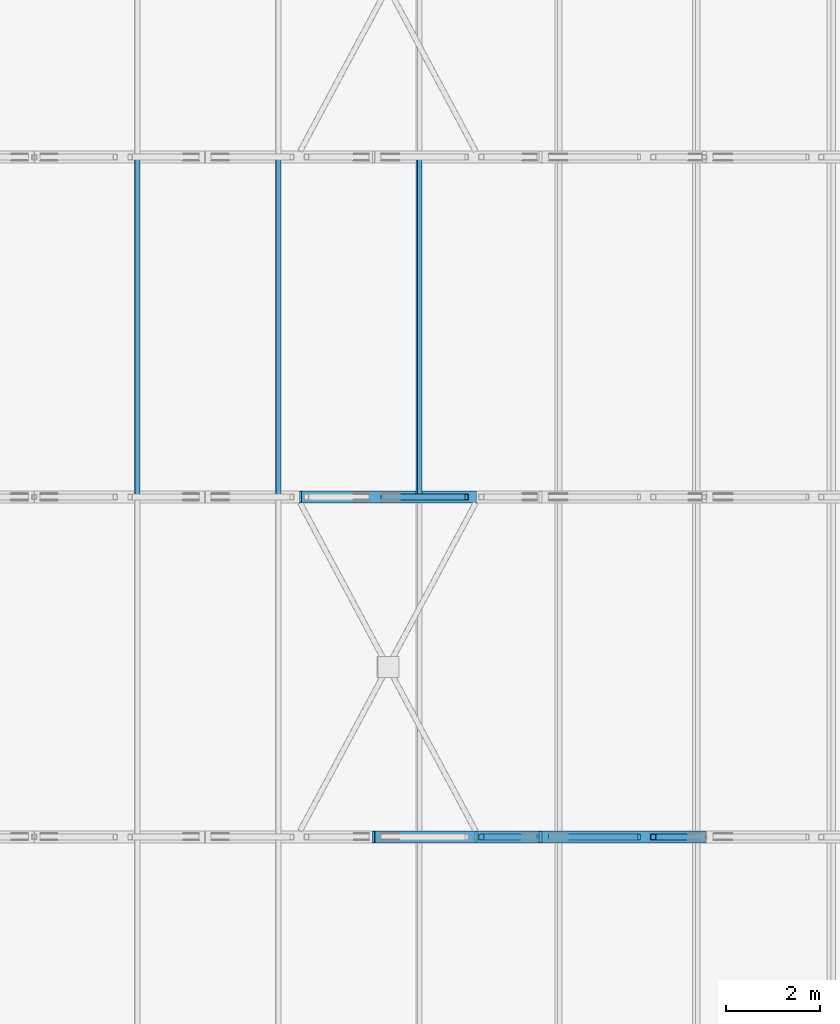
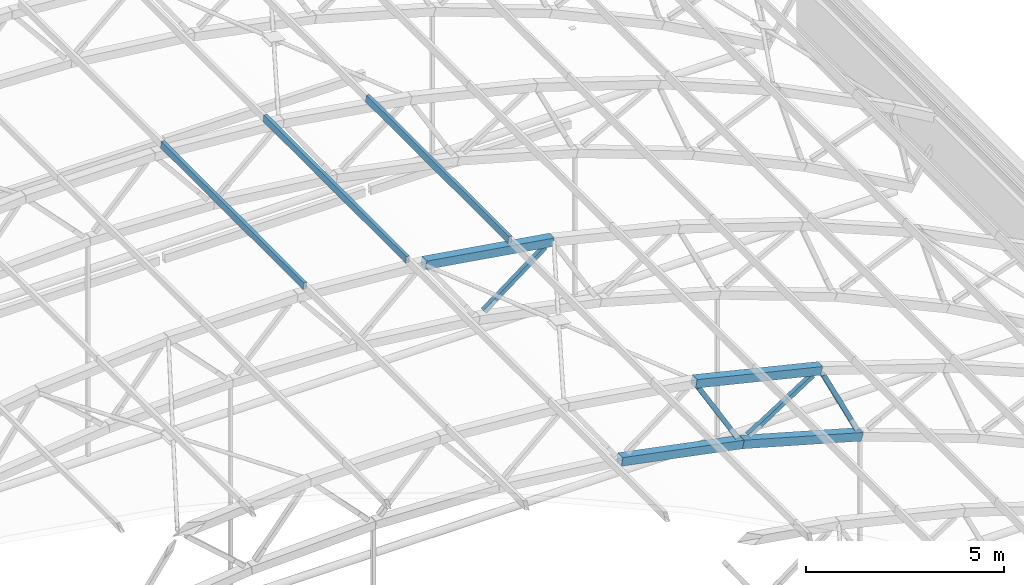
# One storey, part 58 of 127: 11 members.
"""IFC4 building model written with IfcOpenShell, lengths in metres."""

from ifc_helpers import new_model, si_unit, direction, frame, origin, origin_2d, place, context, subcontext, project, spatial, hollow_rectangle, extrude, material, material_profile, profile_set, type_object, element, save


model = new_model("IFC4")

# Units and contexts
model_context = context("Model", 3, precision=1e-05, world=origin(), true_north=direction((0.0, 1.0)))
body_context = subcontext(model_context, "Body", "Model", "MODEL_VIEW")
ifc_project = project(units=[si_unit("LENGTHUNIT", "METRE"), si_unit("AREAUNIT", "SQUARE_METRE"), si_unit("VOLUMEUNIT", "CUBIC_METRE"), si_unit("PLANEANGLEUNIT", "RADIAN"), si_unit("MASSUNIT", "GRAM", prefix="KILO")], contexts=[model_context])

# Site, building, storey
site_placement = place(None, origin())
site = spatial("IfcSite", under=ifc_project, at=site_placement, CompositionType="ELEMENT")
building_placement = place(site_placement, origin())
building = spatial("IfcBuilding", under=site, at=building_placement, Name="Verrick Yard Athletic Hall", CompositionType="ELEMENT")
storey_placement = place(building_placement, frame((0.0, 0.0, 14.0)))
storey = spatial("IfcBuildingStorey", under=building, at=storey_placement, Name="L03", CompositionType="ELEMENT", Elevation=14.0)

# Members
ifc_material = material(Name="Structural steel HSS Class C 350W (CSA G40.20/G40.21)", Category="steel")
ifc_material_profile_1 = material_profile(ifc_material, hollow_rectangle(XDim=0.25390625, YDim=0.25390625, WallThickness=0.009521484375, at=origin_2d()), Name="HSS254x254x9.5")
ifc_profile_set_1 = profile_set([ifc_material_profile_1], Name="Structural steel HSS Class C 350W (CSA G40.20/G40.21)")
member_type_1 = type_object("IfcMemberType", Name="HB bottom chord HSS254x254x9.5", PredefinedType="CHORD", material=ifc_profile_set_1)
for number, where, z_axis, x_axis, name in (
    (1, (152.789306640625, 86.39990234375, 6.191650390625), (0.980848695375, 0.0, -0.194771242181), (0.0, 1.0, 0.0), "Truss TA3 bottom chord 10"),
    (2, (156.326171875, 86.39990234375, 5.489013671875), (0.962577364933, 0.0, -0.271007041457), (0.0, 1.0, 0.0), "Truss TA3 bottom chord 11"),
):
    element("IfcMember", number, at=place(storey_placement, frame(where, z_axis=z_axis, x_axis=x_axis)), inside=storey, type_object=member_type_1, Name=name, PredefinedType="CHORD", context=body_context, shape_type="SweptSolid", body=[
        extrude(hollow_rectangle(XDim=0.25390625, YDim=0.25390625, WallThickness=0.009521484375, at=origin_2d()), origin(), (0.0, 0.0, 1.0), 3.59619140625),
    ])
ifc_material_profile_2 = material_profile(ifc_material, hollow_rectangle(XDim=0.1015625, YDim=0.203125, WallThickness=0.009521484375, at=origin_2d()), Name="HSS203x102x9.5")
ifc_profile_set_2 = profile_set([ifc_material_profile_2], Name="Structural steel HSS Class C 350W (CSA G40.20/G40.21)")
member_type_2 = type_object("IfcMemberType", Name="HB purlin HSS203x102x9.5", PredefinedType="PURLIN", material=ifc_profile_set_2)
for number, where, z_axis, x_axis, name in (
    (3, (147.77685546875, 93.60009765625, 8.92626953125), (0.0, 1.0, 0.0), (-0.996927304266, 0.0, 0.078332305011), "HB-PU-A-4-10"),
    (4, (150.767578125, 93.60009765625, 8.69140625), (0.0, 1.0, 0.0), (-0.996927304266, 0.0, 0.078332305011), "HB-PU-A-4-11"),
    (5, (153.7529296875, 93.60009765625, 8.258544921875), (0.0, 1.0, 0.0), (-0.987728086354, 0.0, 0.156183313539), "HB-PU-A-4-12"),
):
    element("IfcMember", number, at=place(storey_placement, frame(where, z_axis=z_axis, x_axis=x_axis)), inside=storey, type_object=member_type_2, Name=name, PredefinedType="PURLIN", context=body_context, shape_type="SweptSolid", body=[
        extrude(hollow_rectangle(XDim=0.1015625, YDim=0.203125, WallThickness=0.009521484375, at=origin_2d()), origin(), (0.0, 0.0, 1.0), 7.199951171875),
    ])
ifc_material_profile_3 = material_profile(ifc_material, hollow_rectangle(XDim=0.25390625, YDim=0.25390625, WallThickness=0.009521484375, at=origin_2d()), Name="HSS254x254x9.5")
ifc_profile_set_3 = profile_set([ifc_material_profile_3], Name="Structural steel HSS Class C 350W (CSA G40.20/G40.21)")
member_type_3 = type_object("IfcMemberType", Name="HB top chord HSS254x254x9.5", PredefinedType="CHORD", material=ifc_profile_set_3)
for number, where, z_axis, x_axis, name in (
    (6, (154.9541015625, 86.39990234375, 7.836669921875), (0.972457525524, 0.0, -0.233080160141), (0.0, 1.0, 0.0), "Truss TA3 top chord 11"),
    (7, (151.237548828125, 93.60009765625, 8.4248046875), (0.987726014692, 0.0, -0.156196414495), (0.0, 1.0, 0.0), "Truss TA4 top chord 10"),
):
    element("IfcMember", number, at=place(storey_placement, frame(where, z_axis=z_axis, x_axis=x_axis)), inside=storey, type_object=member_type_3, Name=name, PredefinedType="CHORD", context=body_context, shape_type="SweptSolid", body=[
        extrude(hollow_rectangle(XDim=0.25390625, YDim=0.25390625, WallThickness=0.009521484375, at=origin_2d()), origin(), (0.0, 0.0, 1.0), 3.7529296875),
    ])
ifc_material_profile_4 = material_profile(ifc_material, hollow_rectangle(XDim=0.126953125, YDim=0.126953125, WallThickness=0.009521484375, at=origin_2d()), Name="HSS127x127x9.5")
ifc_profile_set_4 = profile_set([ifc_material_profile_4], Name="Structural steel HSS Class C 350W (CSA G40.20/G40.21)")
member_type_4 = type_object("IfcMemberType", Name="HB truss web HSS127x127x9.5", PredefinedType="BRACE", material=ifc_profile_set_4)
for number, where, z_axis, x_axis, name in (
    (8, (155.06884765625, 86.39990234375, 7.633544921875), (0.504543682156, 0.0, -0.86338616667), (0.0, 1.0, 0.0), "Truss TA3 web 20"),
    (9, (156.53076171875, 86.39990234375, 5.624755859375), (0.841118094735, 0.0, 0.54085150523), (0.0, 1.0, 0.0), "Truss TA3 web 21"),
    (10, (158.711669921875, 86.39990234375, 6.74755859375), (0.435458074734, 0.0, -0.900209011924), (0.0, 1.0, 0.0), "Truss TA3 web 22"),
):
    element("IfcMember", number, at=place(storey_placement, frame(where, z_axis=z_axis, x_axis=x_axis)), inside=storey, type_object=member_type_4, Name=name, PredefinedType="BRACE", context=body_context, shape_type="SweptSolid", body=[
        extrude(hollow_rectangle(XDim=0.126953125, YDim=0.126953125, WallThickness=0.009521484375, at=origin_2d()), origin(), (0.0, 0.0, 1.0), 2.233642578125),
    ])
member_placement = place(storey_placement, frame((152.982421875, 93.60009765625, 6.34326171875), z_axis=(0.796206425538, 0.0, 0.605025063887), x_axis=(0.0, 1.0, 0.0)))
element("IfcMember", 11, at=member_placement, inside=storey, type_object=member_type_4, Name="Truss TA4 web 19", PredefinedType="BRACE", context=body_context, shape_type="SweptSolid", body=[
    extrude(hollow_rectangle(XDim=0.126953125, YDim=0.126953125, WallThickness=0.009521484375, at=origin_2d()), origin(), (0.0, 0.0, 1.0), 2.2333984375),
])

save(model, "model.ifc")
